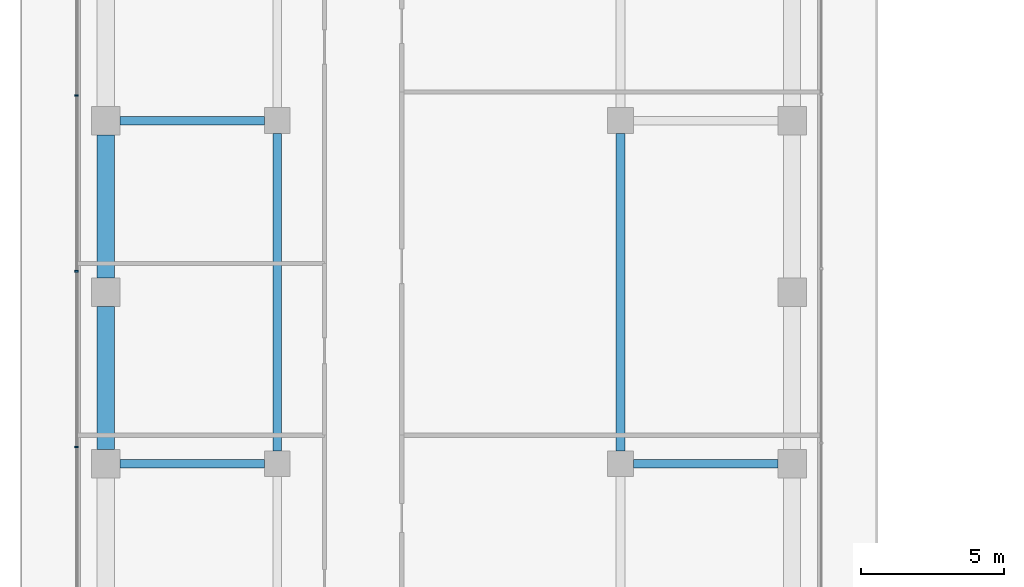
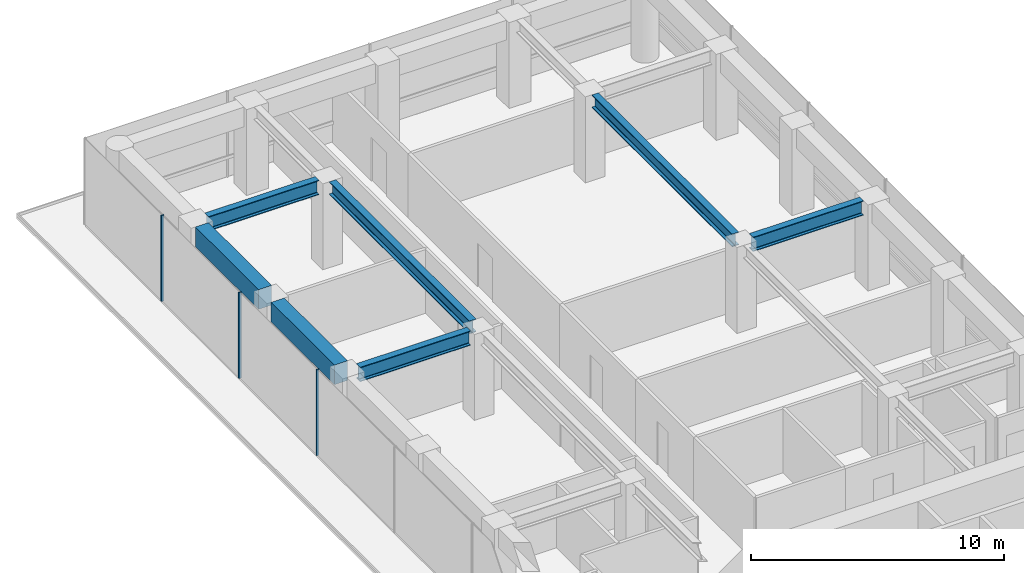
# One storey, part 15 of 24: 7 beams, 3 members, 1 element without a shape of its own.
"""IFC4 building model written with IfcOpenShell, lengths in metres."""

import ifcopenshell
import ifcopenshell.guid

model = None  # the IFC model being written
_history = None  # IfcOwnerHistory: only IFC2X3 demands one
_inside = {}  # id of a spatial element -> (the spatial element, [elements in it])
_under = {}  # id of a project, library or spatial element -> (it, [spatial elements below it])
_declared = {}  # id of a project -> (the project, [libraries it declares])
_typed = {}  # id of a type object -> (the type object, [elements of that type])
_made_of = {}  # id of a material, layer set ... -> (it, [elements and type objects made of it])


def new_model(schema):
    """Start an empty IFC model of exactly this schema.

    Asked for "IFC4X3", IfcOpenShell would pick the latest addendum, in which some entities
    have other attributes; the version numbers below select the first issue.
    IFC2X3 requires an IfcOwnerHistory on every rooted entity: one is made here for all.
    """
    global model, _history
    if schema == "IFC4X3":
        model = ifcopenshell.file(schema_version=(4, 3, 0, 0))
    else:
        model = ifcopenshell.file(schema=schema)
    _inside.clear()
    _under.clear()
    _declared.clear()
    _typed.clear()
    _made_of.clear()
    _history = None
    if model.schema == "IFC2X3":
        org = make("IfcOrganization", Name="unknown")
        user = make(
            "IfcPersonAndOrganization",
            ThePerson=make("IfcPerson", FamilyName="unknown"),
            TheOrganization=org,
        )
        app = make(
            "IfcApplication",
            ApplicationDeveloper=org,
            Version="unknown",
            ApplicationFullName="unknown",
            ApplicationIdentifier="unknown",
        )
        _history = make(
            "IfcOwnerHistory",
            OwningUser=user,
            OwningApplication=app,
            ChangeAction="ADDED",
            CreationDate=0,
        )
    return model


def make(cls, **values):
    """One entity of the class cls with the attributes given. An attribute that is None is left unset."""
    return model.create_entity(
        cls, **{name: value for name, value in values.items() if value is not None}
    )


def rooted(cls, **values):
    """An entity with a GlobalId (a new one), such as an element, a storey or a relation."""
    return make(cls, GlobalId=ifcopenshell.guid.new(), OwnerHistory=_history, **values)


def si_unit(unit_type, name, prefix=None):
    """IfcSIUnit, for example si_unit("LENGTHUNIT", "METRE", prefix="MILLI")."""
    return make("IfcSIUnit", UnitType=unit_type, Prefix=prefix, Name=name)


def assignment(units):
    """IfcUnitAssignment: the units of a project."""
    return None if units is None else make("IfcUnitAssignment", Units=units)


def point(xyz):
    """IfcCartesianPoint."""
    return None if xyz is None else make("IfcCartesianPoint", Coordinates=xyz)


def direction(xyz):
    """IfcDirection."""
    return None if xyz is None else make("IfcDirection", DirectionRatios=xyz)


def frame(location, z_axis=None, x_axis=None):
    """IfcAxis2Placement3D, a coordinate frame: its origin and axes. An axis left out is left unset."""
    return make(
        "IfcAxis2Placement3D",
        Location=point(location),
        Axis=direction(z_axis),
        RefDirection=direction(x_axis),
    )


def frame_2d(location, x_axis=None):
    """IfcAxis2Placement2D, a coordinate frame in the plane: its origin and x axis."""
    return make(
        "IfcAxis2Placement2D", Location=point(location), RefDirection=direction(x_axis)
    )


def origin():
    """The frame at (0, 0, 0) with its axes left unset."""
    return frame((0.0, 0.0, 0.0))


def origin_2d():
    """The frame at (0, 0) in the plane with its x axis left unset."""
    return frame_2d((0.0, 0.0))


def place(relative_to, where):
    """IfcLocalPlacement: puts the frame where relative to a parent placement (None: the world)."""
    return make(
        "IfcLocalPlacement", PlacementRelTo=relative_to, RelativePlacement=where
    )


def context(
    kind, dimensions, precision=None, world=None, true_north=None, identifier=None
):
    """IfcGeometricRepresentationContext, for example the 3D "Model" context."""
    return make(
        "IfcGeometricRepresentationContext",
        ContextIdentifier=identifier,
        ContextType=kind,
        CoordinateSpaceDimension=dimensions,
        Precision=precision,
        WorldCoordinateSystem=world,
        TrueNorth=true_north,
    )


def subcontext(parent, identifier, kind, view, scale=None):
    """IfcGeometricRepresentationSubContext, for example "Body" below "Model"."""
    return make(
        "IfcGeometricRepresentationSubContext",
        ContextIdentifier=identifier,
        ContextType=kind,
        ParentContext=parent,
        TargetScale=scale,
        TargetView=view,
    )


def project(units=None, contexts=None):
    """IfcProject with its units and contexts."""
    return rooted(
        "IfcProject",
        Name="project",
        RepresentationContexts=contexts,
        UnitsInContext=assignment(units),
    )


def spatial(cls, under=None, at=None, **own):
    """A site, building, storey or space (cls), placed at a placement, below another one or the project."""
    s = rooted(cls, ObjectPlacement=at, **own)
    if under is not None:
        _under.setdefault(under.id(), (under, []))[1].append(s)
    return s


def profile(cls, at=None, kind="AREA", **sizes):
    """A parametric profile (cls). Its sizes go by their IFC names, for example OverallWidth=200.0."""
    return make(cls, ProfileType=kind, Position=at, **sizes)


def rectangle(**sizes):
    """IfcRectangleProfileDef."""
    return profile("IfcRectangleProfileDef", **sizes)


def i_section(**sizes):
    """IfcIShapeProfileDef."""
    return profile("IfcIShapeProfileDef", **sizes)


def extrude(swept, where, along, depth):
    """IfcExtrudedAreaSolid: the profile swept, set in the frame where, extruded along a direction by depth."""
    return make(
        "IfcExtrudedAreaSolid",
        SweptArea=swept,
        Position=where,
        ExtrudedDirection=direction(along),
        Depth=depth,
    )


def shape(context_of_items, identifier, shape_type, items):
    """IfcShapeRepresentation: the items that make up one representation, for example the "Body"."""
    return make(
        "IfcShapeRepresentation",
        ContextOfItems=context_of_items,
        RepresentationIdentifier=identifier,
        RepresentationType=shape_type,
        Items=items,
    )


def material(Name=None, Category=None):
    """IfcMaterial."""
    return make("IfcMaterial", Name=Name, Category=Category)


def layer(
    of_material, thickness, ventilated=None, Name=None, Category=None, Priority=None
):
    """IfcMaterialLayer: one layer of a wall or slab, of a material (None: an air gap)."""
    return make(
        "IfcMaterialLayer",
        Material=of_material,
        LayerThickness=thickness,
        IsVentilated=ventilated,
        Name=Name,
        Category=Category,
        Priority=Priority,
    )


def layer_set(layers, Name=None):
    """IfcMaterialLayerSet."""
    return make("IfcMaterialLayerSet", MaterialLayers=layers, LayerSetName=Name)


def material_profile(
    of_material, cross_section, Name=None, Category=None, Priority=None
):
    """IfcMaterialProfile: a cross section and its material."""
    return make(
        "IfcMaterialProfile",
        Name=Name,
        Material=of_material,
        Profile=cross_section,
        Priority=Priority,
        Category=Category,
    )


def profile_set(profiles, Name=None, composite=None):
    """IfcMaterialProfileSet."""
    return make(
        "IfcMaterialProfileSet",
        Name=Name,
        MaterialProfiles=profiles,
        CompositeProfile=composite,
    )


def made_of(thing, what):
    """Note that an element or type object is made of a material, layer set ...; save() writes the relation."""
    if what is not None:
        _made_of.setdefault(what.id(), (what, []))[1].append(thing)
    return thing


def type_object(cls, material=None, **own):
    """A type object (cls), such as IfcWallType, which elements share."""
    return made_of(rooted(cls, **own), material)


def element(
    cls,
    number,
    at=None,
    inside=None,
    cuts=None,
    type_object=None,
    material=None,
    context=None,
    identifier="Body",
    shape_type=None,
    held_by="IfcProductDefinitionShape",
    body=None,
    shapes=None,
    **own,
):
    """One element of the class cls, such as IfcWall. Its Tag is "e" and its number.

    at: its placement. inside: the storey or other place that contains it. cuts: it is an
    opening in that element (IfcRelVoidsElement). A single representation is given by context,
    identifier, shape_type and body (its items); several are given by shapes. held_by: the class
    of the entity that holds the representations. save() writes the other relations.
    """
    e = rooted(cls, Tag="e%d" % number, ObjectPlacement=at, **own)
    if body is not None:
        shapes = [shape(context, identifier, shape_type, body)]
    if shapes is not None:
        e.Representation = make(held_by, Representations=shapes)
    if inside is not None:
        _inside.setdefault(inside.id(), (inside, []))[1].append(e)
    if cuts is not None:
        rooted(
            "IfcRelVoidsElement", RelatingBuildingElement=cuts, RelatedOpeningElement=e
        )
    if type_object is not None:
        _typed.setdefault(type_object.id(), (type_object, []))[1].append(e)
    return made_of(e, material)


def aggregate(whole, parts):
    """IfcRelAggregates: a whole, such as a stair, and the parts it consists of."""
    return rooted("IfcRelAggregates", RelatingObject=whole, RelatedObjects=parts)


def save(model, path):
    """Write the relations noted so far, then the file.

    IfcRelAggregates (storeys below a building ...), IfcRelContainedInSpatialStructure (elements
    in a storey), IfcRelDefinesByType, IfcRelAssociatesMaterial and IfcRelDeclares: one each for
    every whole, place, type object, material and project.
    """
    for whole, parts in _under.values():
        aggregate(whole, parts)
    for where, things in _inside.values():
        rooted(
            "IfcRelContainedInSpatialStructure",
            RelatedElements=things,
            RelatingStructure=where,
        )
    for kind, things in _typed.values():
        rooted("IfcRelDefinesByType", RelatedObjects=things, RelatingType=kind)
    for what, things in _made_of.values():
        rooted("IfcRelAssociatesMaterial", RelatedObjects=things, RelatingMaterial=what)
    for by, libraries in _declared.values():
        rooted("IfcRelDeclares", RelatingContext=by, RelatedDefinitions=libraries)
    model.write(path)


model = new_model("IFC4")

# Units and contexts
model_context = context("Model", 3, precision=1e-05, world=origin(), true_north=direction((0.0, 1.0)))
body_context = subcontext(model_context, "Body", "Model", "MODEL_VIEW")
ifc_project = project(units=[si_unit("LENGTHUNIT", "METRE"), si_unit("AREAUNIT", "SQUARE_METRE"), si_unit("VOLUMEUNIT", "CUBIC_METRE"), si_unit("PLANEANGLEUNIT", "RADIAN"), si_unit("MASSUNIT", "GRAM", prefix="KILO")], contexts=[model_context])

# Site, building, storey
site_placement = place(None, origin())
site = spatial("IfcSite", under=ifc_project, at=site_placement, CompositionType="ELEMENT")
building_placement = place(site_placement, origin())
building = spatial("IfcBuilding", under=site, at=building_placement, Name="Welwitschia Terrace Campus", CompositionType="ELEMENT")
storey_placement = place(building_placement, frame((0.0, 0.0, 20.0)))
storey = spatial("IfcBuildingStorey", under=building, at=storey_placement, Name="L04", CompositionType="ELEMENT", Elevation=20.0)

# Beams
ifc_material_1 = material(Name="Steel S355", Category="steel")
ifc_material_profile_1 = material_profile(ifc_material_1, i_section(OverallWidth=0.304931640625, OverallDepth=0.6201171875, WebThickness=0.02099609375, FlangeThickness=0.0400390625, FilletRadius=0.027099609375, at=origin_2d()))
ifc_profile_set_1 = profile_set([ifc_material_profile_1], Name="Steel S355")
beam_type_1 = type_object("IfcBeamType", Name="Interior girder HE 600 M", PredefinedType="BEAM", material=ifc_profile_set_1)
for number, where, z_axis, x_axis, name in (
    (1, (6.0, 44.450439453125, 3.840087890625), (0.0, 1.0, 0.0), (-1.0, 0.0, 0.0), "Girder GB1"),
    (2, (18.0, 44.450439453125, 3.840087890625), (0.0, 1.0, 0.0), (-1.0, 0.0, 0.0), "Girder GB1"),
):
    element("IfcBeam", number, at=place(storey_placement, frame(where, z_axis=z_axis, x_axis=x_axis)), inside=storey, type_object=beam_type_1, Name=name, PredefinedType="BEAM", context=body_context, shape_type="SweptSolid", body=[
        extrude(i_section(OverallWidth=0.304931640625, OverallDepth=0.6201171875, WebThickness=0.02099609375, FlangeThickness=0.0400390625, FilletRadius=0.027099609375, at=origin_2d()), origin(), (0.0, 0.0, 1.0), 11.09912109375),
    ])

# Curtain wall, members
ifc_material_2 = material(Name="Bronze anodised aluminium", Category="aluminium")
ifc_layer = layer(ifc_material_2, 0.1201171875)
ifc_layer_set = layer_set([ifc_layer], Name="Bronze anodised aluminium")
curtain_wall_type = type_object("IfcCurtainWallType", Name="Curtain wall CW2 tower 6000", PredefinedType="NOTDEFINED", material=ifc_layer_set)
curtain_wall_placement = place(storey_placement, origin())
curtain_wall = element("IfcCurtainWall", 3, at=curtain_wall_placement, inside=storey, type_object=curtain_wall_type, Name="CW L04.9.0", PredefinedType="NOTDEFINED")
ifc_material_3 = material(Name="Bronze anodised aluminium", Category="aluminium")
ifc_material_profile_2 = material_profile(ifc_material_3, rectangle(XDim=0.1201171875, YDim=0.06005859375, at=origin_2d()))
ifc_profile_set_2 = profile_set([ifc_material_profile_2], Name="Bronze anodised aluminium")
member_type = type_object("IfcMemberType", Name="Mullion 60x120", PredefinedType="MULLION", material=ifc_profile_set_2)
member_1_placement = place(storey_placement, frame((-1.02001953125, 56.875732421875, 0.0), z_axis=(0.0, 0.0, 1.0), x_axis=(1.0, 0.0, 0.0)))
member_1 = element("IfcMember", 4, at=member_1_placement, type_object=member_type, Name="Mullion L04.9.0.1", PredefinedType="MULLION", context=body_context, shape_type="SweptSolid", body=[
    extrude(rectangle(XDim=0.1201171875, YDim=0.06005859375, at=origin_2d()), origin(), (0.0, 0.0, 1.0), 4.14990234375),
])
member_2_placement = place(storey_placement, frame((-1.02001953125, 50.7314453125, 0.0), z_axis=(0.0, 0.0, 1.0), x_axis=(1.0, 0.0, 0.0)))
member_2 = element("IfcMember", 5, at=member_2_placement, type_object=member_type, Name="Mullion L04.9.0.2", PredefinedType="MULLION", context=body_context, shape_type="SweptSolid", body=[
    extrude(rectangle(XDim=0.1201171875, YDim=0.06005859375, at=origin_2d()), origin(), (0.0, 0.0, 1.0), 4.14990234375),
])
member_3_placement = place(storey_placement, frame((-1.02001953125, 44.587158203125, 0.0), z_axis=(0.0, 0.0, 1.0), x_axis=(1.0, 0.0, 0.0)))
member_3 = element("IfcMember", 6, at=member_3_placement, type_object=member_type, Name="Mullion L04.9.0.3", PredefinedType="MULLION", context=body_context, shape_type="SweptSolid", body=[
    extrude(rectangle(XDim=0.1201171875, YDim=0.06005859375, at=origin_2d()), origin(), (0.0, 0.0, 1.0), 4.14990234375),
])
aggregate(curtain_wall, [member_1, member_2, member_3])

# Beams
ifc_material_4 = material(Name="Steel S355", Category="steel")
ifc_material_profile_3 = material_profile(ifc_material_4, i_section(OverallWidth=0.300048828125, OverallDepth=0.699951171875, WebThickness=0.01708984375, FlangeThickness=0.031982421875, FilletRadius=0.027099609375, at=origin_2d()))
ifc_profile_set_3 = profile_set([ifc_material_profile_3], Name="Steel S355")
beam_type_2 = type_object("IfcBeamType", Name="Primary beam HE 700 B", PredefinedType="BEAM", material=ifc_profile_set_3)
for number, where, z_axis, x_axis, name in (
    (7, (23.49951171875, 44.0, 3.800048828125), (-1.0, 0.0, 0.0), (0.0, -1.0, 0.0), "Primary beam PB1"),
    (8, (0.50048828125, 56.0, 3.800048828125), (1.0, 0.0, 0.0), (0.0, 1.0, 0.0), "Primary beam PB1"),
    (9, (0.50048828125, 44.0, 3.800048828125), (1.0, 0.0, 0.0), (0.0, 1.0, 0.0), "Primary beam PB1"),
):
    element("IfcBeam", number, at=place(storey_placement, frame(where, z_axis=z_axis, x_axis=x_axis)), inside=storey, type_object=beam_type_2, Name=name, PredefinedType="BEAM", context=body_context, shape_type="SweptSolid", body=[
        extrude(i_section(OverallWidth=0.300048828125, OverallDepth=0.699951171875, WebThickness=0.01708984375, FlangeThickness=0.031982421875, FilletRadius=0.027099609375, at=origin_2d()), origin(), (0.0, 0.0, 1.0), 5.049072265625),
    ])
ifc_material_5 = material(Name="Concrete C60/75", Category="concrete")
ifc_material_profile_4 = material_profile(ifc_material_5, rectangle(XDim=0.60009765625, YDim=0.949951171875, at=origin_2d()))
ifc_profile_set_4 = profile_set([ifc_material_profile_4], Name="Concrete C60/75")
beam_type_3 = type_object("IfcBeamType", Name="Ring spandrel 600x950", PredefinedType="SPANDREL", material=ifc_profile_set_4)
for number, where, z_axis, x_axis, name in (
    (10, (0.0, 55.49951171875, 3.675048828125), (0.0, -1.0, 0.0), (1.0, 0.0, 0.0), "Spandrel SP1"),
    (11, (0.0, 49.49951171875, 3.675048828125), (0.0, -1.0, 0.0), (1.0, 0.0, 0.0), "Spandrel SP1"),
):
    element("IfcBeam", number, at=place(storey_placement, frame(where, z_axis=z_axis, x_axis=x_axis)), inside=storey, type_object=beam_type_3, Name=name, PredefinedType="SPANDREL", context=body_context, shape_type="SweptSolid", body=[
        extrude(rectangle(XDim=0.60009765625, YDim=0.949951171875, at=origin_2d()), origin(), (0.0, 0.0, 1.0), 4.9990234375),
    ])

save(model, "model.ifc")
